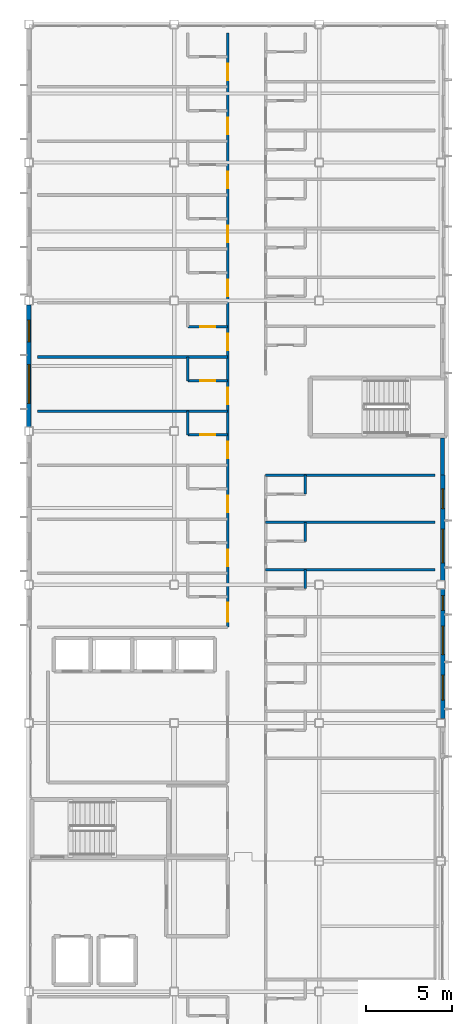
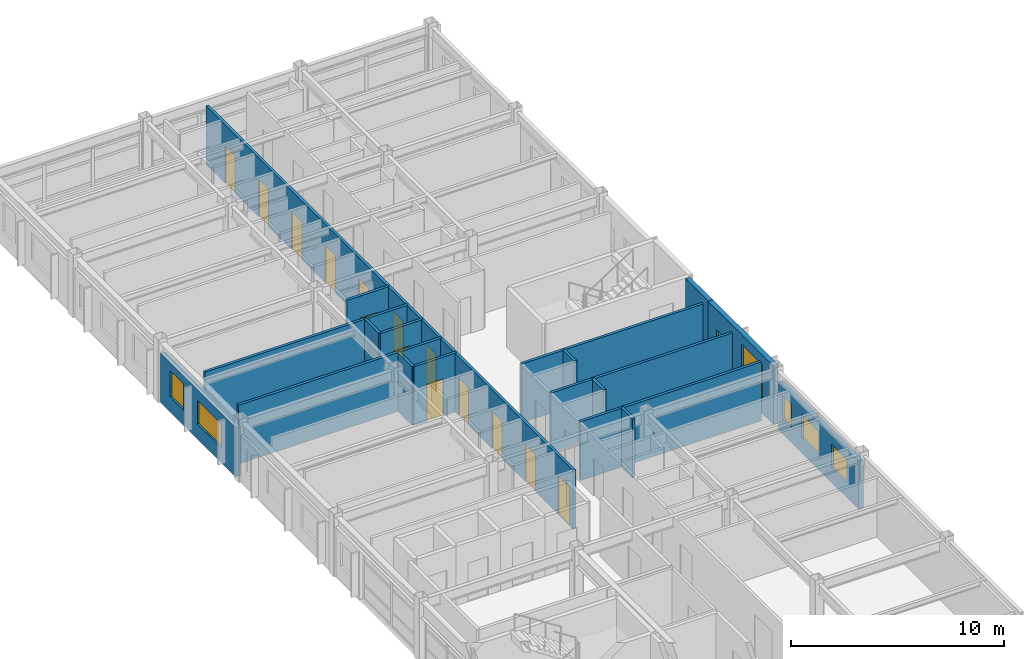
# One storey, part 29 of 35: 18 walls, 14 doors, 7 windows, 21 openings.
"""IFC4 building model written with IfcOpenShell, lengths in metres."""

import ifcopenshell
import ifcopenshell.guid

model = None  # the IFC model being written
_history = None  # IfcOwnerHistory: only IFC2X3 demands one
_inside = {}  # id of a spatial element -> (the spatial element, [elements in it])
_under = {}  # id of a project, library or spatial element -> (it, [spatial elements below it])
_declared = {}  # id of a project -> (the project, [libraries it declares])
_typed = {}  # id of a type object -> (the type object, [elements of that type])
_made_of = {}  # id of a material, layer set ... -> (it, [elements and type objects made of it])


def new_model(schema):
    """Start an empty IFC model of exactly this schema.

    Asked for "IFC4X3", IfcOpenShell would pick the latest addendum, in which some entities
    have other attributes; the version numbers below select the first issue.
    IFC2X3 requires an IfcOwnerHistory on every rooted entity: one is made here for all.
    """
    global model, _history
    if schema == "IFC4X3":
        model = ifcopenshell.file(schema_version=(4, 3, 0, 0))
    else:
        model = ifcopenshell.file(schema=schema)
    _inside.clear()
    _under.clear()
    _declared.clear()
    _typed.clear()
    _made_of.clear()
    _history = None
    if model.schema == "IFC2X3":
        org = make("IfcOrganization", Name="unknown")
        user = make(
            "IfcPersonAndOrganization",
            ThePerson=make("IfcPerson", FamilyName="unknown"),
            TheOrganization=org,
        )
        app = make(
            "IfcApplication",
            ApplicationDeveloper=org,
            Version="unknown",
            ApplicationFullName="unknown",
            ApplicationIdentifier="unknown",
        )
        _history = make(
            "IfcOwnerHistory",
            OwningUser=user,
            OwningApplication=app,
            ChangeAction="ADDED",
            CreationDate=0,
        )
    return model


def make(cls, **values):
    """One entity of the class cls with the attributes given. An attribute that is None is left unset."""
    return model.create_entity(
        cls, **{name: value for name, value in values.items() if value is not None}
    )


def rooted(cls, **values):
    """An entity with a GlobalId (a new one), such as an element, a storey or a relation."""
    return make(cls, GlobalId=ifcopenshell.guid.new(), OwnerHistory=_history, **values)


def si_unit(unit_type, name, prefix=None):
    """IfcSIUnit, for example si_unit("LENGTHUNIT", "METRE", prefix="MILLI")."""
    return make("IfcSIUnit", UnitType=unit_type, Prefix=prefix, Name=name)


def assignment(units):
    """IfcUnitAssignment: the units of a project."""
    return None if units is None else make("IfcUnitAssignment", Units=units)


def point(xyz):
    """IfcCartesianPoint."""
    return None if xyz is None else make("IfcCartesianPoint", Coordinates=xyz)


def direction(xyz):
    """IfcDirection."""
    return None if xyz is None else make("IfcDirection", DirectionRatios=xyz)


def frame(location, z_axis=None, x_axis=None):
    """IfcAxis2Placement3D, a coordinate frame: its origin and axes. An axis left out is left unset."""
    return make(
        "IfcAxis2Placement3D",
        Location=point(location),
        Axis=direction(z_axis),
        RefDirection=direction(x_axis),
    )


def frame_2d(location, x_axis=None):
    """IfcAxis2Placement2D, a coordinate frame in the plane: its origin and x axis."""
    return make(
        "IfcAxis2Placement2D", Location=point(location), RefDirection=direction(x_axis)
    )


def origin():
    """The frame at (0, 0, 0) with its axes left unset."""
    return frame((0.0, 0.0, 0.0))


def place(relative_to, where):
    """IfcLocalPlacement: puts the frame where relative to a parent placement (None: the world)."""
    return make(
        "IfcLocalPlacement", PlacementRelTo=relative_to, RelativePlacement=where
    )


def context(
    kind, dimensions, precision=None, world=None, true_north=None, identifier=None
):
    """IfcGeometricRepresentationContext, for example the 3D "Model" context."""
    return make(
        "IfcGeometricRepresentationContext",
        ContextIdentifier=identifier,
        ContextType=kind,
        CoordinateSpaceDimension=dimensions,
        Precision=precision,
        WorldCoordinateSystem=world,
        TrueNorth=true_north,
    )


def subcontext(parent, identifier, kind, view, scale=None):
    """IfcGeometricRepresentationSubContext, for example "Body" below "Model"."""
    return make(
        "IfcGeometricRepresentationSubContext",
        ContextIdentifier=identifier,
        ContextType=kind,
        ParentContext=parent,
        TargetScale=scale,
        TargetView=view,
    )


def project(units=None, contexts=None):
    """IfcProject with its units and contexts."""
    return rooted(
        "IfcProject",
        Name="project",
        RepresentationContexts=contexts,
        UnitsInContext=assignment(units),
    )


def spatial(cls, under=None, at=None, **own):
    """A site, building, storey or space (cls), placed at a placement, below another one or the project."""
    s = rooted(cls, ObjectPlacement=at, **own)
    if under is not None:
        _under.setdefault(under.id(), (under, []))[1].append(s)
    return s


def profile(cls, at=None, kind="AREA", **sizes):
    """A parametric profile (cls). Its sizes go by their IFC names, for example OverallWidth=200.0."""
    return make(cls, ProfileType=kind, Position=at, **sizes)


def rectangle(**sizes):
    """IfcRectangleProfileDef."""
    return profile("IfcRectangleProfileDef", **sizes)


def extrude(swept, where, along, depth):
    """IfcExtrudedAreaSolid: the profile swept, set in the frame where, extruded along a direction by depth."""
    return make(
        "IfcExtrudedAreaSolid",
        SweptArea=swept,
        Position=where,
        ExtrudedDirection=direction(along),
        Depth=depth,
    )


def shape(context_of_items, identifier, shape_type, items):
    """IfcShapeRepresentation: the items that make up one representation, for example the "Body"."""
    return make(
        "IfcShapeRepresentation",
        ContextOfItems=context_of_items,
        RepresentationIdentifier=identifier,
        RepresentationType=shape_type,
        Items=items,
    )


def material(Name=None, Category=None):
    """IfcMaterial."""
    return make("IfcMaterial", Name=Name, Category=Category)


def layer(
    of_material, thickness, ventilated=None, Name=None, Category=None, Priority=None
):
    """IfcMaterialLayer: one layer of a wall or slab, of a material (None: an air gap)."""
    return make(
        "IfcMaterialLayer",
        Material=of_material,
        LayerThickness=thickness,
        IsVentilated=ventilated,
        Name=Name,
        Category=Category,
        Priority=Priority,
    )


def layer_set(layers, Name=None):
    """IfcMaterialLayerSet."""
    return make("IfcMaterialLayerSet", MaterialLayers=layers, LayerSetName=Name)


def made_of(thing, what):
    """Note that an element or type object is made of a material, layer set ...; save() writes the relation."""
    if what is not None:
        _made_of.setdefault(what.id(), (what, []))[1].append(thing)
    return thing


def type_object(cls, material=None, **own):
    """A type object (cls), such as IfcWallType, which elements share."""
    return made_of(rooted(cls, **own), material)


def element(
    cls,
    number,
    at=None,
    inside=None,
    cuts=None,
    type_object=None,
    material=None,
    context=None,
    identifier="Body",
    shape_type=None,
    held_by="IfcProductDefinitionShape",
    body=None,
    shapes=None,
    **own,
):
    """One element of the class cls, such as IfcWall. Its Tag is "e" and its number.

    at: its placement. inside: the storey or other place that contains it. cuts: it is an
    opening in that element (IfcRelVoidsElement). A single representation is given by context,
    identifier, shape_type and body (its items); several are given by shapes. held_by: the class
    of the entity that holds the representations. save() writes the other relations.
    """
    e = rooted(cls, Tag="e%d" % number, ObjectPlacement=at, **own)
    if body is not None:
        shapes = [shape(context, identifier, shape_type, body)]
    if shapes is not None:
        e.Representation = make(held_by, Representations=shapes)
    if inside is not None:
        _inside.setdefault(inside.id(), (inside, []))[1].append(e)
    if cuts is not None:
        rooted(
            "IfcRelVoidsElement", RelatingBuildingElement=cuts, RelatedOpeningElement=e
        )
    if type_object is not None:
        _typed.setdefault(type_object.id(), (type_object, []))[1].append(e)
    return made_of(e, material)


def fill(opening, filler):
    """IfcRelFillsElement: the door or window that sits in an opening."""
    return rooted(
        "IfcRelFillsElement",
        RelatingOpeningElement=opening,
        RelatedBuildingElement=filler,
    )


def aggregate(whole, parts):
    """IfcRelAggregates: a whole, such as a stair, and the parts it consists of."""
    return rooted("IfcRelAggregates", RelatingObject=whole, RelatedObjects=parts)


def save(model, path):
    """Write the relations noted so far, then the file.

    IfcRelAggregates (storeys below a building ...), IfcRelContainedInSpatialStructure (elements
    in a storey), IfcRelDefinesByType, IfcRelAssociatesMaterial and IfcRelDeclares: one each for
    every whole, place, type object, material and project.
    """
    for whole, parts in _under.values():
        aggregate(whole, parts)
    for where, things in _inside.values():
        rooted(
            "IfcRelContainedInSpatialStructure",
            RelatedElements=things,
            RelatingStructure=where,
        )
    for kind, things in _typed.values():
        rooted("IfcRelDefinesByType", RelatedObjects=things, RelatingType=kind)
    for what, things in _made_of.values():
        rooted("IfcRelAssociatesMaterial", RelatedObjects=things, RelatingMaterial=what)
    for by, libraries in _declared.values():
        rooted("IfcRelDeclares", RelatingContext=by, RelatedDefinitions=libraries)
    model.write(path)


model = new_model("IFC4")

# Units and contexts
model_context = context("Model", 3, precision=1e-05, world=origin(), true_north=direction((0.0, 1.0)))
body_context = subcontext(model_context, "Body", "Model", "MODEL_VIEW")
ifc_project = project(units=[si_unit("LENGTHUNIT", "METRE"), si_unit("AREAUNIT", "SQUARE_METRE"), si_unit("VOLUMEUNIT", "CUBIC_METRE"), si_unit("PLANEANGLEUNIT", "RADIAN"), si_unit("MASSUNIT", "GRAM", prefix="KILO")], contexts=[model_context])

# Site, building, storey
site_placement = place(None, origin())
site = spatial("IfcSite", under=ifc_project, at=site_placement, CompositionType="ELEMENT")
building_placement = place(site_placement, origin())
building = spatial("IfcBuilding", under=site, at=building_placement, Name="Kazehara Bluff Congress Hotel", CompositionType="ELEMENT")
storey_placement = place(building_placement, frame((0.0, 0.0, 35.39990234375)))
storey = spatial("IfcBuildingStorey", under=building, at=storey_placement, Name="L08", CompositionType="ELEMENT", Elevation=35.39990234375)

# Wall
ifc_material_1 = material(Name="Precast concrete C40/50", Category="concrete")
ifc_layer_1 = layer(ifc_material_1, 0.239990234375)
ifc_layer_set_1 = layer_set([ifc_layer_1], Name="Precast concrete C40/50")
wall_type_1 = type_object("IfcWallType", Name="TP-EW-240", PredefinedType="SOLIDWALL", material=ifc_layer_set_1)
wall_1_placement = place(storey_placement, frame((167.64990234375, 72.93994140625, 0.0), z_axis=(0.0, 0.0, 1.0), x_axis=(0.0, -1.0, 0.0)))
element("IfcWall", 1, at=wall_1_placement, inside=storey, type_object=wall_type_1, Name="L08 V5 perimeter spandrel pier 750", PredefinedType="SOLIDWALL", context=body_context, shape_type="SweptSolid", body=[
    extrude(rectangle(XDim=2.139892578125, YDim=0.239990234375, at=frame_2d((1.06982421875, 0.0))), origin(), (0.0, 0.0, 1.0), 3.364990234375),
])

# Wall, openings, windows
ifc_material_2 = material(Name="Precast concrete C40/50", Category="concrete")
ifc_layer_2 = layer(ifc_material_2, 0.260009765625)
ifc_layer_set_2 = layer_set([ifc_layer_2], Name="Precast concrete C40/50")
wall_type_2 = type_object("IfcWallType", Name="TP-EW-260", PredefinedType="SOLIDWALL", material=ifc_layer_set_2)
wall_2_placement = place(storey_placement, frame((167.64990234375, 64.199951171875, 0.0), z_axis=(0.0, 0.0, 1.0), x_axis=(0.0, -1.0, 0.0)))
wall_2 = element("IfcWall", 2, at=wall_2_placement, inside=storey, type_object=wall_type_2, Name="L08 hotel facade panel 115", PredefinedType="SOLIDWALL", context=body_context, shape_type="SweptSolid", body=[
    extrude(rectangle(XDim=7.5, YDim=0.260009765625, at=frame_2d((3.75, 0.0))), origin(), (0.0, 0.0, 1.0), 2.755126953125),
])
opening_1_placement = place(wall_2_placement, frame((4.97509765625, 0.0, 0.85009765625)))
opening_1 = element("IfcOpeningElement", 3, at=opening_1_placement, cuts=wall_2, Name="Opening WN-16", PredefinedType="OPENING", context=body_context, shape_type="SweptSolid", body=[
    extrude(rectangle(XDim=1.449951171875, YDim=1.35009765625, at=frame_2d((0.72509765625, 0.675048828125))), frame((0.0, 0.139892578125, 0.0), z_axis=(0.0, -1.0, 0.0), x_axis=(1.0, 0.0, 0.0)), (0.0, 0.0, 1.0), 0.280029296875),
])
opening_2_placement = place(wall_2_placement, frame((2.14501953125, 0.0, 0.85009765625)))
opening_2 = element("IfcOpeningElement", 4, at=opening_2_placement, cuts=wall_2, Name="Opening WN-26", PredefinedType="OPENING", context=body_context, shape_type="SweptSolid", body=[
    extrude(rectangle(XDim=1.64990234375, YDim=1.35009765625, at=frame_2d((0.824951171875, 0.675048828125))), frame((0.0, 0.139892578125, 0.0), z_axis=(0.0, -1.0, 0.0), x_axis=(1.0, 0.0, 0.0)), (0.0, 0.0, 1.0), 0.280029296875),
])
opening_3_placement = place(wall_2_placement, frame((0.375, 0.0, 0.85009765625)))
opening_3 = element("IfcOpeningElement", 5, at=opening_3_placement, cuts=wall_2, Name="Opening WN-55", PredefinedType="OPENING", context=body_context, shape_type="SweptSolid", body=[
    extrude(rectangle(XDim=0.85009765625, YDim=1.35009765625, at=frame_2d((0.425048828125, 0.675048828125))), frame((0.0, 0.139892578125, 0.0), z_axis=(0.0, -1.0, 0.0), x_axis=(1.0, 0.0, 0.0)), (0.0, 0.0, 1.0), 0.280029296875),
])
ifc_material_3 = material(Name="Insulated low-E double glazing", Category="glass")
window_type_1 = type_object("IfcWindowType", Name="TP-WN-16", PartitioningType="SINGLE_PANEL", PredefinedType="WINDOW", material=ifc_material_3)
window_1_placement = place(opening_1_placement, origin())
window_1 = element("IfcWindow", 6, at=window_1_placement, inside=storey, type_object=window_type_1, Name="L08 guestroom window WN-16 220", OverallHeight=1.35009765625, OverallWidth=1.449951171875, PartitioningType="SINGLE_PANEL", PredefinedType="WINDOW", context=body_context, shape_type="SweptSolid", body=[
    extrude(rectangle(XDim=1.449951171875, YDim=1.35009765625, at=frame_2d((0.72509765625, 0.675048828125))), frame((0.0, 0.030029296875, 0.0), z_axis=(0.0, -1.0, 0.0), x_axis=(1.0, 0.0, 0.0)), (0.0, 0.0, 1.0), 0.06005859375),
])
fill(opening_1, window_1)
ifc_material_4 = material(Name="Insulated low-E double glazing", Category="glass")
window_type_2 = type_object("IfcWindowType", Name="TP-WN-26", PartitioningType="SINGLE_PANEL", PredefinedType="WINDOW", material=ifc_material_4)
window_2_placement = place(opening_2_placement, origin())
window_2 = element("IfcWindow", 7, at=window_2_placement, inside=storey, type_object=window_type_2, Name="L08 guestroom window WN-26 221", OverallHeight=1.35009765625, OverallWidth=1.64990234375, PartitioningType="SINGLE_PANEL", PredefinedType="WINDOW", context=body_context, shape_type="SweptSolid", body=[
    extrude(rectangle(XDim=1.64990234375, YDim=1.35009765625, at=frame_2d((0.824951171875, 0.675048828125))), frame((0.0, 0.030029296875, 0.0), z_axis=(0.0, -1.0, 0.0), x_axis=(1.0, 0.0, 0.0)), (0.0, 0.0, 1.0), 0.06005859375),
])
fill(opening_2, window_2)
ifc_material_5 = material(Name="Insulated low-E double glazing", Category="glass")
window_type_3 = type_object("IfcWindowType", Name="TP-WN-55", PartitioningType="SINGLE_PANEL", PredefinedType="WINDOW", material=ifc_material_5)
window_3_placement = place(opening_3_placement, origin())
window_3 = element("IfcWindow", 8, at=window_3_placement, inside=storey, type_object=window_type_3, Name="L08 guestroom window WN-55 222", OverallHeight=1.35009765625, OverallWidth=0.85009765625, PartitioningType="SINGLE_PANEL", PredefinedType="WINDOW", context=body_context, shape_type="SweptSolid", body=[
    extrude(rectangle(XDim=0.85009765625, YDim=1.35009765625, at=frame_2d((0.425048828125, 0.675048828125))), frame((0.0, 0.030029296875, 0.0), z_axis=(0.0, -1.0, 0.0), x_axis=(1.0, 0.0, 0.0)), (0.0, 0.0, 1.0), 0.06005859375),
])
fill(opening_3, window_3)

wall_3_placement = place(storey_placement, frame((167.64990234375, 70.800048828125, 0.0), z_axis=(0.0, 0.0, 1.0), x_axis=(0.0, -1.0, 0.0)))
wall_3 = element("IfcWall", 9, at=wall_3_placement, inside=storey, type_object=wall_type_2, Name="L08 hotel facade panel 116", PredefinedType="SOLIDWALL", context=body_context, shape_type="SweptSolid", body=[
    extrude(rectangle(XDim=6.10009765625, YDim=0.260009765625, at=frame_2d((3.050048828125, 0.0))), origin(), (0.0, 0.0, 1.0), 3.364990234375),
])
opening_4_placement = place(wall_3_placement, frame((3.125, 0.0, 0.85009765625)))
opening_4 = element("IfcOpeningElement", 10, at=opening_4_placement, cuts=wall_3, Name="Opening WN-45", PredefinedType="OPENING", context=body_context, shape_type="SweptSolid", body=[
    extrude(rectangle(XDim=1.949951171875, YDim=1.949951171875, at=frame_2d((0.97509765625, 0.97509765625))), frame((0.0, 0.139892578125, 0.0), z_axis=(0.0, -1.0, 0.0), x_axis=(1.0, 0.0, 0.0)), (0.0, 0.0, 1.0), 0.280029296875),
])
opening_5_placement = place(wall_3_placement, frame((0.7900390625, 0.0, 0.85009765625)))
opening_5 = element("IfcOpeningElement", 11, at=opening_5_placement, cuts=wall_3, Name="Opening WN-01", PredefinedType="OPENING", context=body_context, shape_type="SweptSolid", body=[
    extrude(rectangle(XDim=1.14990234375, YDim=1.35009765625, at=frame_2d((0.574951171875, 0.675048828125))), frame((0.0, 0.139892578125, 0.0), z_axis=(0.0, -1.0, 0.0), x_axis=(1.0, 0.0, 0.0)), (0.0, 0.0, 1.0), 0.280029296875),
])
ifc_material_6 = material(Name="Insulated low-E double glazing", Category="glass")
window_type_4 = type_object("IfcWindowType", Name="TP-WN-01", PartitioningType="SINGLE_PANEL", PredefinedType="WINDOW", material=ifc_material_6)
window_4_placement = place(opening_5_placement, origin())
window_4 = element("IfcWindow", 12, at=window_4_placement, inside=storey, type_object=window_type_4, Name="L08 guestroom window WN-01 224", OverallHeight=1.35009765625, OverallWidth=1.14990234375, PartitioningType="SINGLE_PANEL", PredefinedType="WINDOW", context=body_context, shape_type="SweptSolid", body=[
    extrude(rectangle(XDim=1.14990234375, YDim=1.35009765625, at=frame_2d((0.574951171875, 0.675048828125))), frame((0.0, 0.030029296875, 0.0), z_axis=(0.0, -1.0, 0.0), x_axis=(1.0, 0.0, 0.0)), (0.0, 0.0, 1.0), 0.06005859375),
])
fill(opening_5, window_4)
ifc_material_7 = material(Name="Insulated low-E double glazing", Category="glass")
window_type_5 = type_object("IfcWindowType", Name="TP-WN-45", PartitioningType="DOUBLE_PANEL_VERTICAL", PredefinedType="WINDOW", material=ifc_material_7)
window_5_placement = place(opening_4_placement, origin())
window_5 = element("IfcWindow", 13, at=window_5_placement, inside=storey, type_object=window_type_5, Name="L08 guestroom window WN-45 223", OverallHeight=1.949951171875, OverallWidth=1.949951171875, PartitioningType="SINGLE_PANEL", PredefinedType="WINDOW", context=body_context, shape_type="SweptSolid", body=[
    extrude(rectangle(XDim=1.949951171875, YDim=1.949951171875, at=frame_2d((0.97509765625, 0.97509765625))), frame((0.0, 0.030029296875, 0.0), z_axis=(0.0, -1.0, 0.0), x_axis=(1.0, 0.0, 0.0)), (0.0, 0.0, 1.0), 0.06005859375),
])
fill(opening_4, window_5)

wall_4_placement = place(storey_placement, frame((143.699951171875, 73.60009765625, 0.0), z_axis=(0.0, 0.0, 1.0), x_axis=(0.0, 1.0, 0.0)))
wall_4 = element("IfcWall", 14, at=wall_4_placement, inside=storey, type_object=wall_type_2, Name="L08 hotel facade panel 127", PredefinedType="SOLIDWALL", context=body_context, shape_type="SweptSolid", body=[
    extrude(rectangle(XDim=7.0498046875, YDim=0.260009765625, at=frame_2d((3.52490234375, 0.0))), origin(), (0.0, 0.0, 1.0), 2.80517578125),
])
opening_6_placement = place(wall_4_placement, frame((1.35009765625, 0.0, 0.85009765625)))
opening_6 = element("IfcOpeningElement", 15, at=opening_6_placement, cuts=wall_4, Name="Opening WN-51", PredefinedType="OPENING", context=body_context, shape_type="SweptSolid", body=[
    extrude(rectangle(XDim=2.25, YDim=1.35009765625, at=frame_2d((1.125, 0.675048828125))), frame((0.0, 0.139892578125, 0.0), z_axis=(0.0, -1.0, 0.0), x_axis=(1.0, 0.0, 0.0)), (0.0, 0.0, 1.0), 0.280029296875),
])
opening_7_placement = place(wall_4_placement, frame((4.919921875, 0.0, 0.85009765625)))
opening_7 = element("IfcOpeningElement", 16, at=opening_7_placement, cuts=wall_4, Name="Opening WN-07", PredefinedType="OPENING", context=body_context, shape_type="SweptSolid", body=[
    extrude(rectangle(XDim=1.25, YDim=1.5, at=frame_2d((0.625, 0.75))), frame((0.0, 0.139892578125, 0.0), z_axis=(0.0, -1.0, 0.0), x_axis=(1.0, 0.0, 0.0)), (0.0, 0.0, 1.0), 0.280029296875),
])
ifc_material_8 = material(Name="Insulated low-E double glazing", Category="glass")
window_type_6 = type_object("IfcWindowType", Name="TP-WN-07", PartitioningType="SINGLE_PANEL", PredefinedType="WINDOW", material=ifc_material_8)
window_6_placement = place(opening_7_placement, origin())
window_6 = element("IfcWindow", 17, at=window_6_placement, inside=storey, type_object=window_type_6, Name="L08 guestroom window WN-07 247", OverallHeight=1.5, OverallWidth=1.25, PartitioningType="SINGLE_PANEL", PredefinedType="WINDOW", context=body_context, shape_type="SweptSolid", body=[
    extrude(rectangle(XDim=1.25, YDim=1.5, at=frame_2d((0.625, 0.75))), frame((0.0, 0.030029296875, 0.0), z_axis=(0.0, -1.0, 0.0), x_axis=(1.0, 0.0, 0.0)), (0.0, 0.0, 1.0), 0.06005859375),
])
fill(opening_7, window_6)
ifc_material_9 = material(Name="Insulated low-E double glazing", Category="glass")
window_type_7 = type_object("IfcWindowType", Name="TP-WN-51", PartitioningType="DOUBLE_PANEL_VERTICAL", PredefinedType="WINDOW", material=ifc_material_9)
window_7_placement = place(opening_6_placement, origin())
window_7 = element("IfcWindow", 18, at=window_7_placement, inside=storey, type_object=window_type_7, Name="L08 guestroom window WN-51 246", OverallHeight=1.35009765625, OverallWidth=2.25, PartitioningType="SINGLE_PANEL", PredefinedType="WINDOW", context=body_context, shape_type="SweptSolid", body=[
    extrude(rectangle(XDim=2.25, YDim=1.35009765625, at=frame_2d((1.125, 0.675048828125))), frame((0.0, 0.030029296875, 0.0), z_axis=(0.0, -1.0, 0.0), x_axis=(1.0, 0.0, 0.0)), (0.0, 0.0, 1.0), 0.06005859375),
])
fill(opening_6, window_7)

# Walls
ifc_material_10 = material(Name="Fire-rated gypsum board stud partition")
ifc_layer_3 = layer(ifc_material_10, 0.14990234375)
ifc_layer_set_3 = layer_set([ifc_layer_3], Name="Fire-rated gypsum board stud partition")
wall_type_3 = type_object("IfcWallType", Name="TP-PT-150", PredefinedType="PARTITIONING", material=ifc_layer_set_3)
for number, where, z_axis, x_axis, name in (
    (19, (157.39990234375, 65.330078125, 0.0), (0.0, 0.0, 1.0), (1.0, 0.0, 0.0), "L08 partition PT-150 1071"),
    (20, (157.39990234375, 68.06005859375, 0.0), (0.0, 0.0, 1.0), (1.0, 0.0, 0.0), "L08 partition PT-150 1074"),
    (21, (157.39990234375, 70.800048828125, 0.0), (0.0, 0.0, 1.0), (1.0, 0.0, 0.0), "L08 partition PT-150 1078"),
):
    element("IfcWall", number, at=place(storey_placement, frame(where, z_axis=z_axis, x_axis=x_axis)), inside=storey, type_object=wall_type_3, Name=name, PredefinedType="PARTITIONING", context=body_context, shape_type="SweptSolid", body=[
        extrude(rectangle(XDim=9.800048828125, YDim=0.14990234375, at=frame_2d((4.89990234375, 0.0))), origin(), (0.0, 0.0, 1.0), 3.364990234375),
    ])

# Wall, opening, door
wall_5_placement = place(storey_placement, frame((152.89990234375, 73.1298828125, 0.0), z_axis=(0.0, 0.0, 1.0), x_axis=(1.0, 0.0, 0.0)))
wall_5 = element("IfcWall", 22, at=wall_5_placement, inside=storey, type_object=wall_type_3, Name="L08 partition PT-150 1080", PredefinedType="PARTITIONING", context=body_context, shape_type="SweptSolid", body=[
    extrude(rectangle(XDim=2.300048828125, YDim=0.14990234375, at=frame_2d((1.14990234375, 0.0))), origin(), (0.0, 0.0, 1.0), 3.364990234375),
])
opening_8_placement = place(wall_5_placement, frame((0.7099609375, 0.0, 0.0)))
opening_8 = element("IfcOpeningElement", 23, at=opening_8_placement, cuts=wall_5, Name="Opening BD-02", PredefinedType="OPENING", context=body_context, shape_type="SweptSolid", body=[
    extrude(rectangle(XDim=0.8798828125, YDim=2.1201171875, at=frame_2d((0.43994140625, 1.06005859375))), frame((0.0, 0.0849609375, 0.0), z_axis=(0.0, -1.0, 0.0), x_axis=(1.0, 0.0, 0.0)), (0.0, 0.0, 1.0), 0.169921875),
])
ifc_material_11 = material(Name="Architectural oak veneer leaf")
door_type_1 = type_object("IfcDoorType", Name="TP-BD-02", OperationType="NOTDEFINED", PredefinedType="DOOR", material=ifc_material_11)
door_1_placement = place(opening_8_placement, origin())
door_1 = element("IfcDoor", 24, at=door_1_placement, inside=storey, type_object=door_type_1, Name="L08 En-suite Bathroom 222 door", OperationType="SINGLE_SWING_LEFT", OverallHeight=2.1201171875, OverallWidth=0.8798828125, PredefinedType="DOOR", context=body_context, shape_type="SweptSolid", body=[
    extrude(rectangle(XDim=0.8798828125, YDim=2.1201171875, at=frame_2d((0.43994140625, 1.06005859375))), frame((0.0, 0.02490234375, 0.0), z_axis=(0.0, -1.0, 0.0), x_axis=(1.0, 0.0, 0.0)), (0.0, 0.0, 1.0), 0.050048828125),
])
fill(opening_8, door_1)

# Wall
wall_6_placement = place(storey_placement, frame((144.199951171875, 74.510009765625, 0.0), z_axis=(0.0, 0.0, 1.0), x_axis=(1.0, 0.0, 0.0)))
element("IfcWall", 25, at=wall_6_placement, inside=storey, type_object=wall_type_3, Name="L08 partition PT-150 1081", PredefinedType="PARTITIONING", context=body_context, shape_type="SweptSolid", body=[
    extrude(rectangle(XDim=11.0, YDim=0.14990234375, at=frame_2d((5.5, 0.0))), origin(), (0.0, 0.0, 1.0), 3.364990234375),
])

# Wall, opening, door
wall_7_placement = place(storey_placement, frame((152.89990234375, 76.260009765625, 0.0), z_axis=(0.0, 0.0, 1.0), x_axis=(1.0, 0.0, 0.0)))
wall_7 = element("IfcWall", 26, at=wall_7_placement, inside=storey, type_object=wall_type_3, Name="L08 partition PT-150 1082", PredefinedType="PARTITIONING", context=body_context, shape_type="SweptSolid", body=[
    extrude(rectangle(XDim=2.300048828125, YDim=0.14990234375, at=frame_2d((1.14990234375, 0.0))), origin(), (0.0, 0.0, 1.0), 3.364990234375),
])
opening_9_placement = place(wall_7_placement, frame((0.7099609375, 0.0, 0.0)))
opening_9 = element("IfcOpeningElement", 27, at=opening_9_placement, cuts=wall_7, Name="Opening BD-02", PredefinedType="OPENING", context=body_context, shape_type="SweptSolid", body=[
    extrude(rectangle(XDim=0.8798828125, YDim=2.1201171875, at=frame_2d((0.43994140625, 1.06005859375))), frame((0.0, 0.0849609375, 0.0), z_axis=(0.0, -1.0, 0.0), x_axis=(1.0, 0.0, 0.0)), (0.0, 0.0, 1.0), 0.169921875),
])
door_2_placement = place(opening_9_placement, origin())
door_2 = element("IfcDoor", 28, at=door_2_placement, inside=storey, type_object=door_type_1, Name="L08 En-suite Bathroom 223 door", OperationType="SINGLE_SWING_LEFT", OverallHeight=2.1201171875, OverallWidth=0.8798828125, PredefinedType="DOOR", context=body_context, shape_type="SweptSolid", body=[
    extrude(rectangle(XDim=0.8798828125, YDim=2.1201171875, at=frame_2d((0.43994140625, 1.06005859375))), frame((0.0, 0.02490234375, 0.0), z_axis=(0.0, -1.0, 0.0), x_axis=(1.0, 0.0, 0.0)), (0.0, 0.0, 1.0), 0.050048828125),
])
fill(opening_9, door_2)

# Wall
wall_8_placement = place(storey_placement, frame((144.199951171875, 77.639892578125, 0.0), z_axis=(0.0, 0.0, 1.0), x_axis=(1.0, 0.0, 0.0)))
element("IfcWall", 29, at=wall_8_placement, inside=storey, type_object=wall_type_3, Name="L08 partition PT-150 1083", PredefinedType="PARTITIONING", context=body_context, shape_type="SweptSolid", body=[
    extrude(rectangle(XDim=11.0, YDim=0.14990234375, at=frame_2d((5.5, 0.0))), origin(), (0.0, 0.0, 1.0), 3.364990234375),
])

# Wall, opening, door
wall_9_placement = place(storey_placement, frame((152.89990234375, 79.389892578125, 0.0), z_axis=(0.0, 0.0, 1.0), x_axis=(1.0, 0.0, 0.0)))
wall_9 = element("IfcWall", 30, at=wall_9_placement, inside=storey, type_object=wall_type_3, Name="L08 partition PT-150 1085", PredefinedType="PARTITIONING", context=body_context, shape_type="SweptSolid", body=[
    extrude(rectangle(XDim=2.300048828125, YDim=0.14990234375, at=frame_2d((1.14990234375, 0.0))), origin(), (0.0, 0.0, 1.0), 3.364990234375),
])
opening_10_placement = place(wall_9_placement, frame((0.7099609375, 0.0, 0.0)))
opening_10 = element("IfcOpeningElement", 31, at=opening_10_placement, cuts=wall_9, Name="Opening BD-02", PredefinedType="OPENING", context=body_context, shape_type="SweptSolid", body=[
    extrude(rectangle(XDim=0.8798828125, YDim=2.1201171875, at=frame_2d((0.43994140625, 1.06005859375))), frame((0.0, 0.0849609375, 0.0), z_axis=(0.0, -1.0, 0.0), x_axis=(1.0, 0.0, 0.0)), (0.0, 0.0, 1.0), 0.169921875),
])
door_3_placement = place(opening_10_placement, origin())
door_3 = element("IfcDoor", 32, at=door_3_placement, inside=storey, type_object=door_type_1, Name="L08 En-suite Bathroom 224 door", OperationType="SINGLE_SWING_LEFT", OverallHeight=2.1201171875, OverallWidth=0.8798828125, PredefinedType="DOOR", context=body_context, shape_type="SweptSolid", body=[
    extrude(rectangle(XDim=0.8798828125, YDim=2.1201171875, at=frame_2d((0.43994140625, 1.06005859375))), frame((0.0, 0.02490234375, 0.0), z_axis=(0.0, -1.0, 0.0), x_axis=(1.0, 0.0, 0.0)), (0.0, 0.0, 1.0), 0.050048828125),
])
fill(opening_10, door_3)

# Walls
wall_10_placement = place(storey_placement, frame((152.89990234375, 73.1298828125, 0.0), z_axis=(0.0, 0.0, 1.0), x_axis=(0.0, 1.0, 0.0)))
element("IfcWall", 33, at=wall_10_placement, inside=storey, type_object=wall_type_3, Name="L08 partition PT-150 1124", PredefinedType="PARTITIONING", context=body_context, shape_type="SweptSolid", body=[
    extrude(rectangle(XDim=1.380126953125, YDim=0.14990234375, at=frame_2d((0.68994140625, 0.0))), origin(), (0.0, 0.0, 1.0), 3.364990234375),
])
wall_11_placement = place(storey_placement, frame((152.89990234375, 76.260009765625, 0.0), z_axis=(0.0, 0.0, 1.0), x_axis=(0.0, 1.0, 0.0)))
element("IfcWall", 34, at=wall_11_placement, inside=storey, type_object=wall_type_3, Name="L08 partition PT-150 1125", PredefinedType="PARTITIONING", context=body_context, shape_type="SweptSolid", body=[
    extrude(rectangle(XDim=1.375, YDim=0.14990234375, at=frame_2d((0.6875, 0.0))), origin(), (0.0, 0.0, 1.0), 3.364990234375),
])

# Wall, openings, doors
wall_12_placement = place(storey_placement, frame((155.199951171875, 62.0, 0.0), z_axis=(0.0, 0.0, 1.0), x_axis=(0.0, 1.0, 0.0)))
wall_12 = element("IfcWall", 35, at=wall_12_placement, inside=storey, type_object=wall_type_3, Name="L08 partition PT-150 1138", PredefinedType="PARTITIONING", context=body_context, shape_type="SweptSolid", body=[
    extrude(rectangle(XDim=34.39990234375, YDim=0.14990234375, at=frame_2d((17.199951171875, 0.0))), origin(), (0.0, 0.0, 1.0), 3.364990234375),
])
opening_11_placement = place(wall_12_placement, frame((0.324951171875, 0.0, 0.0)))
opening_11 = element("IfcOpeningElement", 36, at=opening_11_placement, cuts=wall_12, Name="Opening GD-02", PredefinedType="OPENING", context=body_context, shape_type="SweptSolid", body=[
    extrude(rectangle(XDim=1.10009765625, YDim=2.199951171875, at=frame_2d((0.550048828125, 1.10009765625))), frame((0.0, 0.0849609375, 0.0), z_axis=(0.0, -1.0, 0.0), x_axis=(1.0, 0.0, 0.0)), (0.0, 0.0, 1.0), 0.169921875),
])
opening_12_placement = place(wall_12_placement, frame((3.52490234375, 0.0, 0.0)))
opening_12 = element("IfcOpeningElement", 37, at=opening_12_placement, cuts=wall_12, Name="Opening GD-01", PredefinedType="OPENING", context=body_context, shape_type="SweptSolid", body=[
    extrude(rectangle(XDim=0.949951171875, YDim=2.14990234375, at=frame_2d((0.47509765625, 1.074951171875))), frame((0.0, 0.0849609375, 0.0), z_axis=(0.0, -1.0, 0.0), x_axis=(1.0, 0.0, 0.0)), (0.0, 0.0, 1.0), 0.169921875),
])
opening_13_placement = place(wall_12_placement, frame((6.655029296875, 0.0, 0.0)))
opening_13 = element("IfcOpeningElement", 38, at=opening_13_placement, cuts=wall_12, Name="Opening GD-01", PredefinedType="OPENING", context=body_context, shape_type="SweptSolid", body=[
    extrude(rectangle(XDim=0.949951171875, YDim=2.14990234375, at=frame_2d((0.47509765625, 1.074951171875))), frame((0.0, 0.0849609375, 0.0), z_axis=(0.0, -1.0, 0.0), x_axis=(1.0, 0.0, 0.0)), (0.0, 0.0, 1.0), 0.169921875),
])
opening_14_placement = place(wall_12_placement, frame((9.780029296875, 0.0, 0.0)))
opening_14 = element("IfcOpeningElement", 39, at=opening_14_placement, cuts=wall_12, Name="Opening GD-01", PredefinedType="OPENING", context=body_context, shape_type="SweptSolid", body=[
    extrude(rectangle(XDim=0.949951171875, YDim=2.14990234375, at=frame_2d((0.47509765625, 1.074951171875))), frame((0.0, 0.0849609375, 0.0), z_axis=(0.0, -1.0, 0.0), x_axis=(1.0, 0.0, 0.0)), (0.0, 0.0, 1.0), 0.169921875),
])
opening_15_placement = place(wall_12_placement, frame((12.909912109375, 0.0, 0.0)))
opening_15 = element("IfcOpeningElement", 40, at=opening_15_placement, cuts=wall_12, Name="Opening GD-01", PredefinedType="OPENING", context=body_context, shape_type="SweptSolid", body=[
    extrude(rectangle(XDim=0.949951171875, YDim=2.14990234375, at=frame_2d((0.47509765625, 1.074951171875))), frame((0.0, 0.0849609375, 0.0), z_axis=(0.0, -1.0, 0.0), x_axis=(1.0, 0.0, 0.0)), (0.0, 0.0, 1.0), 0.169921875),
])
opening_16_placement = place(wall_12_placement, frame((16.034912109375, 0.0, 0.0)))
opening_16 = element("IfcOpeningElement", 41, at=opening_16_placement, cuts=wall_12, Name="Opening GD-01", PredefinedType="OPENING", context=body_context, shape_type="SweptSolid", body=[
    extrude(rectangle(XDim=0.949951171875, YDim=2.14990234375, at=frame_2d((0.47509765625, 1.074951171875))), frame((0.0, 0.0849609375, 0.0), z_axis=(0.0, -1.0, 0.0), x_axis=(1.0, 0.0, 0.0)), (0.0, 0.0, 1.0), 0.169921875),
])
opening_17_placement = place(wall_12_placement, frame((19.1650390625, 0.0, 0.0)))
opening_17 = element("IfcOpeningElement", 42, at=opening_17_placement, cuts=wall_12, Name="Opening GD-01", PredefinedType="OPENING", context=body_context, shape_type="SweptSolid", body=[
    extrude(rectangle(XDim=0.949951171875, YDim=2.14990234375, at=frame_2d((0.47509765625, 1.074951171875))), frame((0.0, 0.0849609375, 0.0), z_axis=(0.0, -1.0, 0.0), x_axis=(1.0, 0.0, 0.0)), (0.0, 0.0, 1.0), 0.169921875),
])
opening_18_placement = place(wall_12_placement, frame((22.2900390625, 0.0, 0.0)))
opening_18 = element("IfcOpeningElement", 43, at=opening_18_placement, cuts=wall_12, Name="Opening GD-01", PredefinedType="OPENING", context=body_context, shape_type="SweptSolid", body=[
    extrude(rectangle(XDim=0.949951171875, YDim=2.14990234375, at=frame_2d((0.47509765625, 1.074951171875))), frame((0.0, 0.0849609375, 0.0), z_axis=(0.0, -1.0, 0.0), x_axis=(1.0, 0.0, 0.0)), (0.0, 0.0, 1.0), 0.169921875),
])
opening_19_placement = place(wall_12_placement, frame((25.419921875, 0.0, 0.0)))
opening_19 = element("IfcOpeningElement", 44, at=opening_19_placement, cuts=wall_12, Name="Opening GD-01", PredefinedType="OPENING", context=body_context, shape_type="SweptSolid", body=[
    extrude(rectangle(XDim=0.949951171875, YDim=2.14990234375, at=frame_2d((0.47509765625, 1.074951171875))), frame((0.0, 0.0849609375, 0.0), z_axis=(0.0, -1.0, 0.0), x_axis=(1.0, 0.0, 0.0)), (0.0, 0.0, 1.0), 0.169921875),
])
opening_20_placement = place(wall_12_placement, frame((28.544921875, 0.0, 0.0)))
opening_20 = element("IfcOpeningElement", 45, at=opening_20_placement, cuts=wall_12, Name="Opening GD-01", PredefinedType="OPENING", context=body_context, shape_type="SweptSolid", body=[
    extrude(rectangle(XDim=0.949951171875, YDim=2.14990234375, at=frame_2d((0.47509765625, 1.074951171875))), frame((0.0, 0.0849609375, 0.0), z_axis=(0.0, -1.0, 0.0), x_axis=(1.0, 0.0, 0.0)), (0.0, 0.0, 1.0), 0.169921875),
])
opening_21_placement = place(wall_12_placement, frame((31.675048828125, 0.0, 0.0)))
opening_21 = element("IfcOpeningElement", 46, at=opening_21_placement, cuts=wall_12, Name="Opening GD-01", PredefinedType="OPENING", context=body_context, shape_type="SweptSolid", body=[
    extrude(rectangle(XDim=0.949951171875, YDim=2.14990234375, at=frame_2d((0.47509765625, 1.074951171875))), frame((0.0, 0.0849609375, 0.0), z_axis=(0.0, -1.0, 0.0), x_axis=(1.0, 0.0, 0.0)), (0.0, 0.0, 1.0), 0.169921875),
])
ifc_material_12 = material(Name="Architectural oak veneer leaf")
door_type_2 = type_object("IfcDoorType", Name="TP-GD-01", OperationType="NOTDEFINED", PredefinedType="DOOR", material=ifc_material_12)
door_4_placement = place(opening_12_placement, origin())
door_4 = element("IfcDoor", 47, at=door_4_placement, inside=storey, type_object=door_type_2, Name="L08 Deluxe Twin Guest Room 220 door", OperationType="SINGLE_SWING_RIGHT", OverallHeight=2.14990234375, OverallWidth=0.949951171875, PredefinedType="DOOR", context=body_context, shape_type="SweptSolid", body=[
    extrude(rectangle(XDim=0.949951171875, YDim=2.14990234375, at=frame_2d((0.47509765625, 1.074951171875))), frame((0.0, 0.02490234375, 0.0), z_axis=(0.0, -1.0, 0.0), x_axis=(1.0, 0.0, 0.0)), (0.0, 0.0, 1.0), 0.050048828125),
])
fill(opening_12, door_4)
door_5_placement = place(opening_13_placement, origin())
door_5 = element("IfcDoor", 48, at=door_5_placement, inside=storey, type_object=door_type_2, Name="L08 Standard King Guest Room 221 door", OperationType="SINGLE_SWING_RIGHT", OverallHeight=2.14990234375, OverallWidth=0.949951171875, PredefinedType="DOOR", context=body_context, shape_type="SweptSolid", body=[
    extrude(rectangle(XDim=0.949951171875, YDim=2.14990234375, at=frame_2d((0.47509765625, 1.074951171875))), frame((0.0, 0.02490234375, 0.0), z_axis=(0.0, -1.0, 0.0), x_axis=(1.0, 0.0, 0.0)), (0.0, 0.0, 1.0), 0.050048828125),
])
fill(opening_13, door_5)
door_6_placement = place(opening_14_placement, origin())
door_6 = element("IfcDoor", 49, at=door_6_placement, inside=storey, type_object=door_type_2, Name="L08 Deluxe Twin Guest Room 222 door", OperationType="SINGLE_SWING_RIGHT", OverallHeight=2.14990234375, OverallWidth=0.949951171875, PredefinedType="DOOR", context=body_context, shape_type="SweptSolid", body=[
    extrude(rectangle(XDim=0.949951171875, YDim=2.14990234375, at=frame_2d((0.47509765625, 1.074951171875))), frame((0.0, 0.02490234375, 0.0), z_axis=(0.0, -1.0, 0.0), x_axis=(1.0, 0.0, 0.0)), (0.0, 0.0, 1.0), 0.050048828125),
])
fill(opening_14, door_6)
door_7_placement = place(opening_15_placement, origin())
door_7 = element("IfcDoor", 50, at=door_7_placement, inside=storey, type_object=door_type_2, Name="L08 Standard King Guest Room 223 door", OperationType="SINGLE_SWING_RIGHT", OverallHeight=2.14990234375, OverallWidth=0.949951171875, PredefinedType="DOOR", context=body_context, shape_type="SweptSolid", body=[
    extrude(rectangle(XDim=0.949951171875, YDim=2.14990234375, at=frame_2d((0.47509765625, 1.074951171875))), frame((0.0, 0.02490234375, 0.0), z_axis=(0.0, -1.0, 0.0), x_axis=(1.0, 0.0, 0.0)), (0.0, 0.0, 1.0), 0.050048828125),
])
fill(opening_15, door_7)
door_8_placement = place(opening_16_placement, origin())
door_8 = element("IfcDoor", 51, at=door_8_placement, inside=storey, type_object=door_type_2, Name="L08 Deluxe Twin Guest Room 224 door", OperationType="SINGLE_SWING_RIGHT", OverallHeight=2.14990234375, OverallWidth=0.949951171875, PredefinedType="DOOR", context=body_context, shape_type="SweptSolid", body=[
    extrude(rectangle(XDim=0.949951171875, YDim=2.14990234375, at=frame_2d((0.47509765625, 1.074951171875))), frame((0.0, 0.02490234375, 0.0), z_axis=(0.0, -1.0, 0.0), x_axis=(1.0, 0.0, 0.0)), (0.0, 0.0, 1.0), 0.050048828125),
])
fill(opening_16, door_8)
door_9_placement = place(opening_17_placement, origin())
door_9 = element("IfcDoor", 52, at=door_9_placement, inside=storey, type_object=door_type_2, Name="L08 Standard King Guest Room 225 door", OperationType="SINGLE_SWING_RIGHT", OverallHeight=2.14990234375, OverallWidth=0.949951171875, PredefinedType="DOOR", context=body_context, shape_type="SweptSolid", body=[
    extrude(rectangle(XDim=0.949951171875, YDim=2.14990234375, at=frame_2d((0.47509765625, 1.074951171875))), frame((0.0, 0.02490234375, 0.0), z_axis=(0.0, -1.0, 0.0), x_axis=(1.0, 0.0, 0.0)), (0.0, 0.0, 1.0), 0.050048828125),
])
fill(opening_17, door_9)
door_10_placement = place(opening_18_placement, origin())
door_10 = element("IfcDoor", 53, at=door_10_placement, inside=storey, type_object=door_type_2, Name="L08 Deluxe Twin Guest Room 226 door", OperationType="SINGLE_SWING_RIGHT", OverallHeight=2.14990234375, OverallWidth=0.949951171875, PredefinedType="DOOR", context=body_context, shape_type="SweptSolid", body=[
    extrude(rectangle(XDim=0.949951171875, YDim=2.14990234375, at=frame_2d((0.47509765625, 1.074951171875))), frame((0.0, 0.02490234375, 0.0), z_axis=(0.0, -1.0, 0.0), x_axis=(1.0, 0.0, 0.0)), (0.0, 0.0, 1.0), 0.050048828125),
])
fill(opening_18, door_10)
door_11_placement = place(opening_19_placement, origin())
door_11 = element("IfcDoor", 54, at=door_11_placement, inside=storey, type_object=door_type_2, Name="L08 Standard King Guest Room 227 door", OperationType="SINGLE_SWING_RIGHT", OverallHeight=2.14990234375, OverallWidth=0.949951171875, PredefinedType="DOOR", context=body_context, shape_type="SweptSolid", body=[
    extrude(rectangle(XDim=0.949951171875, YDim=2.14990234375, at=frame_2d((0.47509765625, 1.074951171875))), frame((0.0, 0.02490234375, 0.0), z_axis=(0.0, -1.0, 0.0), x_axis=(1.0, 0.0, 0.0)), (0.0, 0.0, 1.0), 0.050048828125),
])
fill(opening_19, door_11)
door_12_placement = place(opening_20_placement, origin())
door_12 = element("IfcDoor", 55, at=door_12_placement, inside=storey, type_object=door_type_2, Name="L08 Deluxe Twin Guest Room 228 door", OperationType="SINGLE_SWING_RIGHT", OverallHeight=2.14990234375, OverallWidth=0.949951171875, PredefinedType="DOOR", context=body_context, shape_type="SweptSolid", body=[
    extrude(rectangle(XDim=0.949951171875, YDim=2.14990234375, at=frame_2d((0.47509765625, 1.074951171875))), frame((0.0, 0.02490234375, 0.0), z_axis=(0.0, -1.0, 0.0), x_axis=(1.0, 0.0, 0.0)), (0.0, 0.0, 1.0), 0.050048828125),
])
fill(opening_20, door_12)
door_13_placement = place(opening_21_placement, origin())
door_13 = element("IfcDoor", 56, at=door_13_placement, inside=storey, type_object=door_type_2, Name="L08 Standard King Guest Room 229 door", OperationType="SINGLE_SWING_RIGHT", OverallHeight=2.14990234375, OverallWidth=0.949951171875, PredefinedType="DOOR", context=body_context, shape_type="SweptSolid", body=[
    extrude(rectangle(XDim=0.949951171875, YDim=2.14990234375, at=frame_2d((0.47509765625, 1.074951171875))), frame((0.0, 0.02490234375, 0.0), z_axis=(0.0, -1.0, 0.0), x_axis=(1.0, 0.0, 0.0)), (0.0, 0.0, 1.0), 0.050048828125),
])
fill(opening_21, door_13)
ifc_material_13 = material(Name="Architectural oak veneer leaf")
door_type_3 = type_object("IfcDoorType", Name="TP-GD-02", OperationType="NOTDEFINED", PredefinedType="DOOR", material=ifc_material_13)
door_14_placement = place(opening_11_placement, origin())
door_14 = element("IfcDoor", 57, at=door_14_placement, inside=storey, type_object=door_type_3, Name="L08 Executive Suite 219 door", OperationType="SINGLE_SWING_RIGHT", OverallHeight=2.199951171875, OverallWidth=1.10009765625, PredefinedType="DOOR", context=body_context, shape_type="SweptSolid", body=[
    extrude(rectangle(XDim=1.10009765625, YDim=2.199951171875, at=frame_2d((0.550048828125, 1.10009765625))), frame((0.0, 0.02490234375, 0.0), z_axis=(0.0, -1.0, 0.0), x_axis=(1.0, 0.0, 0.0)), (0.0, 0.0, 1.0), 0.050048828125),
])
fill(opening_11, door_14)

# Walls
for number, where, z_axis, x_axis, name in (
    (58, (159.699951171875, 64.235107421875, 0.0), (0.0, 0.0, 1.0), (0.0, 1.0, 0.0), "L08 partition PT-150 1155"),
    (59, (159.699951171875, 66.965087890625, 0.0), (0.0, 0.0, 1.0), (0.0, 1.0, 0.0), "L08 partition PT-150 1156"),
):
    element("IfcWall", number, at=place(storey_placement, frame(where, z_axis=z_axis, x_axis=x_axis)), inside=storey, type_object=wall_type_3, Name=name, PredefinedType="PARTITIONING", context=body_context, shape_type="SweptSolid", body=[
        extrude(rectangle(XDim=1.099853515625, YDim=0.14990234375, at=frame_2d((0.5498046875, 0.0))), origin(), (0.0, 0.0, 1.0), 3.364990234375),
    ])
wall_13_placement = place(storey_placement, frame((159.699951171875, 69.699951171875, 0.0), z_axis=(0.0, 0.0, 1.0), x_axis=(0.0, 1.0, 0.0)))
element("IfcWall", 60, at=wall_13_placement, inside=storey, type_object=wall_type_3, Name="L08 partition PT-150 1157", PredefinedType="PARTITIONING", context=body_context, shape_type="SweptSolid", body=[
    extrude(rectangle(XDim=1.10009765625, YDim=0.14990234375, at=frame_2d((0.550048828125, 0.0))), origin(), (0.0, 0.0, 1.0), 3.364990234375),
])

save(model, "model.ifc")
